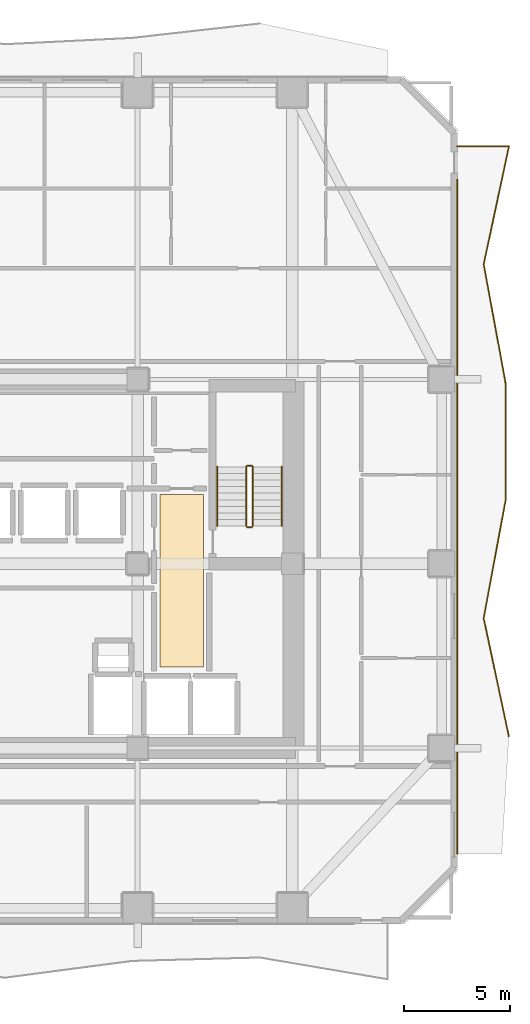
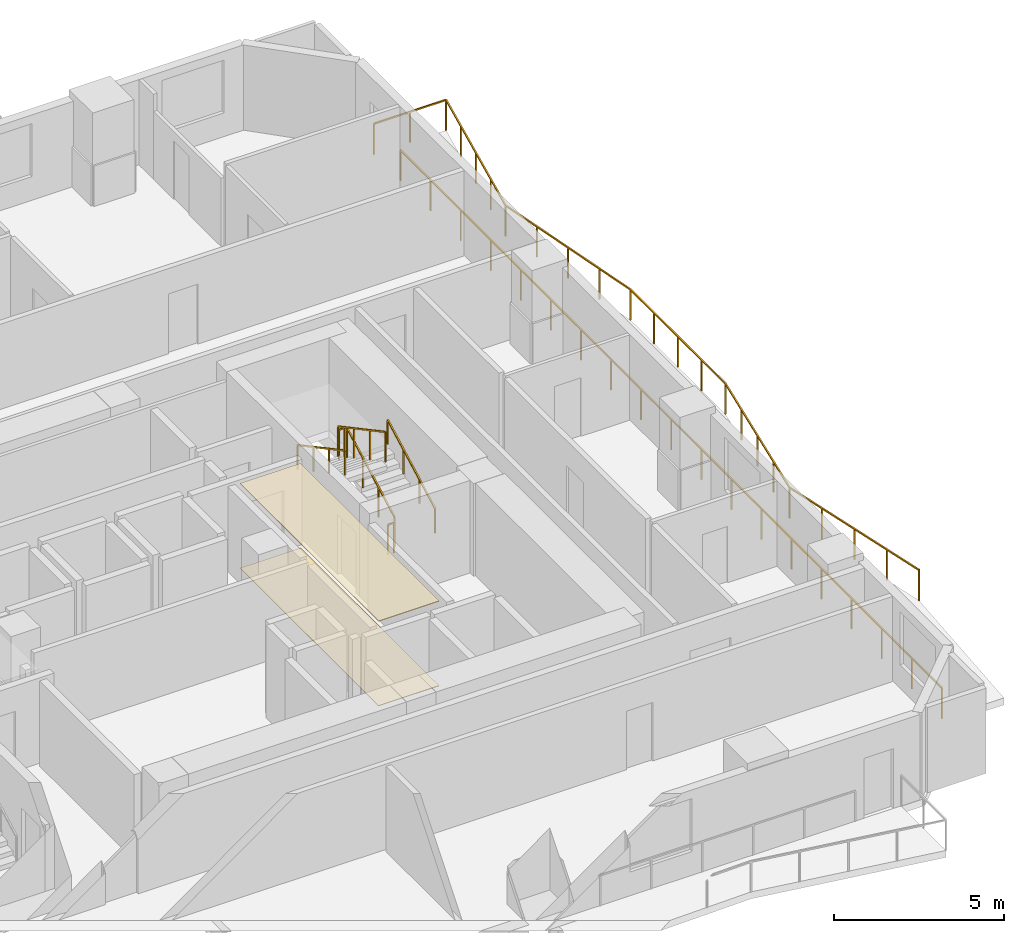
# One storey, part 9 of 10: 8 railings, 2 coverings.
"""IFC4 building model written with IfcOpenShell, lengths in metres."""

from ifc_helpers import new_model, si_unit, direction, frame, origin, origin_2d, place, context, subcontext, project, spatial, polyline, rectangle, outline, extrude, material, layer, layer_set, type_object, element, save


model = new_model("IFC4")

# Units and contexts
model_context = context("Model", 3, precision=1e-05, world=origin(), true_north=direction((0.0, 1.0)))
body_context = subcontext(model_context, "Body", "Model", "MODEL_VIEW")
ifc_project = project(units=[si_unit("LENGTHUNIT", "METRE"), si_unit("AREAUNIT", "SQUARE_METRE"), si_unit("VOLUMEUNIT", "CUBIC_METRE"), si_unit("PLANEANGLEUNIT", "RADIAN"), si_unit("MASSUNIT", "GRAM", prefix="KILO")], contexts=[model_context])

# Site, building, storey
site_placement = place(None, origin())
site = spatial("IfcSite", under=ifc_project, at=site_placement, CompositionType="ELEMENT")
building_placement = place(site_placement, origin())
building = spatial("IfcBuilding", under=site, at=building_placement, Name="Solanera Arch Residences", CompositionType="ELEMENT")
storey_placement = place(building_placement, frame((0.0, 0.0, 92.800048828125)))
storey = spatial("IfcBuildingStorey", under=building, at=storey_placement, Name="L26", CompositionType="ELEMENT", Elevation=92.800048828125)

# Railings
ifc_material_1 = material(Name="Steel S355 (ASTM A992 / A572 Grade 50)", Category="steel")
railing_type_1 = type_object("IfcRailingType", Name="Balustrade Railing BL-1100", PredefinedType="BALUSTRADE", material=ifc_material_1)
railing_1_placement = place(storey_placement, frame((46.721923828125, 22.56689453125, 0.0)))
element("IfcRailing", 1, at=railing_1_placement, inside=storey, type_object=railing_type_1, Name="L26 E Balcony Balustrade 1", PredefinedType="BALUSTRADE", context=body_context, shape_type="SweptSolid", body=[
    extrude(rectangle(XDim=0.048095703125, YDim=0.048095703125, at=origin_2d()), frame((0.0, 0.0, 1.09619140625), z_axis=(-0.208401032027, 0.978043460103, 0.0), x_axis=(-0.978043460103, -0.208401032027, 0.0)), (0.0, 0.0, 1.0), 5.691162109375),
    extrude(rectangle(XDim=0.048095703125, YDim=0.048095703125, at=origin_2d()), frame((-1.18603515625, 5.566162109375, 1.09619140625), z_axis=(0.182814875216, 0.983147354876, 0.0), x_axis=(-0.983147354876, 0.182814875216, 0.0)), (0.0, 0.0, 1.0), 5.662353515625),
    extrude(rectangle(XDim=0.048095703125, YDim=0.048095703125, at=origin_2d()), frame((-0.15087890625, 11.133056640625, 1.09619140625), z_axis=(-0.001622591382, 0.999998683598, 0.0), x_axis=(-0.999998683598, -0.001622591382, 0.0)), (0.0, 0.0, 1.0), 5.567138671875),
    extrude(rectangle(XDim=0.048095703125, YDim=0.048095703125, at=origin_2d()), frame((-0.159912109375, 16.7001953125, 1.09619140625), z_axis=(-0.181094355562, 0.983465726085, 0.0), x_axis=(-0.983465726085, -0.181094355562, 0.0)), (0.0, 0.0, 1.0), 5.659423828125),
    extrude(rectangle(XDim=0.048095703125, YDim=0.048095703125, at=origin_2d()), frame((-1.184814453125, 22.26611328125, 1.09619140625), z_axis=(0.209359223468, 0.977838798345, 0.0), x_axis=(-0.977838798345, 0.209359223468, 0.0)), (0.0, 0.0, 1.0), 5.693115234375),
    extrude(rectangle(XDim=0.048095703125, YDim=0.048095703125, at=origin_2d()), frame((0.007080078125, 27.8330078125, 1.09619140625), z_axis=(-1.0, 0.0, 0.0), x_axis=(0.0, -1.0, 0.0)), (0.0, 0.0, 1.0), 2.448974609375),
    extrude(rectangle(XDim=0.0419921875, YDim=0.0419921875, at=origin_2d()), origin(), (0.0, 0.0, 1.0), 1.072021484375),
    extrude(rectangle(XDim=0.0419921875, YDim=0.0419921875, at=origin_2d()), frame((-0.29638671875, 1.3916015625, 0.0)), (0.0, 0.0, 1.0), 1.072021484375),
    extrude(rectangle(XDim=0.0419921875, YDim=0.0419921875, at=origin_2d()), frame((-0.593017578125, 2.783203125, 0.0)), (0.0, 0.0, 1.0), 1.072021484375),
    extrude(rectangle(XDim=0.0419921875, YDim=0.0419921875, at=origin_2d()), frame((-0.8896484375, 4.174560546875, 0.0)), (0.0, 0.0, 1.0), 1.072021484375),
    extrude(rectangle(XDim=0.0419921875, YDim=0.0419921875, at=origin_2d()), frame((-1.18603515625, 5.566162109375, 0.0)), (0.0, 0.0, 1.0), 1.072021484375),
    extrude(rectangle(XDim=0.0419921875, YDim=0.0419921875, at=origin_2d()), frame((-0.92724609375, 6.9580078125, 0.0)), (0.0, 0.0, 1.0), 1.072021484375),
    extrude(rectangle(XDim=0.0419921875, YDim=0.0419921875, at=origin_2d()), frame((-0.66845703125, 8.349609375, 0.0)), (0.0, 0.0, 1.0), 1.072021484375),
    extrude(rectangle(XDim=0.0419921875, YDim=0.0419921875, at=origin_2d()), frame((-0.40966796875, 9.7412109375, 0.0)), (0.0, 0.0, 1.0), 1.072021484375),
    extrude(rectangle(XDim=0.0419921875, YDim=0.0419921875, at=origin_2d()), frame((-0.15087890625, 11.133056640625, 0.0)), (0.0, 0.0, 1.0), 1.072021484375),
    extrude(rectangle(XDim=0.0419921875, YDim=0.0419921875, at=origin_2d()), frame((-0.153076171875, 12.52490234375, 0.0)), (0.0, 0.0, 1.0), 1.072021484375),
    extrude(rectangle(XDim=0.0419921875, YDim=0.0419921875, at=origin_2d()), frame((-0.1552734375, 13.91650390625, 0.0)), (0.0, 0.0, 1.0), 1.072021484375),
    extrude(rectangle(XDim=0.0419921875, YDim=0.0419921875, at=origin_2d()), frame((-0.15771484375, 15.308349609375, 0.0)), (0.0, 0.0, 1.0), 1.072021484375),
    extrude(rectangle(XDim=0.0419921875, YDim=0.0419921875, at=origin_2d()), frame((-0.159912109375, 16.7001953125, 0.0)), (0.0, 0.0, 1.0), 1.072021484375),
    extrude(rectangle(XDim=0.0419921875, YDim=0.0419921875, at=origin_2d()), frame((-0.416015625, 18.091796875, 0.0)), (0.0, 0.0, 1.0), 1.072021484375),
    extrude(rectangle(XDim=0.0419921875, YDim=0.0419921875, at=origin_2d()), frame((-0.67236328125, 19.483154296875, 0.0)), (0.0, 0.0, 1.0), 1.072021484375),
    extrude(rectangle(XDim=0.0419921875, YDim=0.0419921875, at=origin_2d()), frame((-0.9287109375, 20.87451171875, 0.0)), (0.0, 0.0, 1.0), 1.072021484375),
    extrude(rectangle(XDim=0.0419921875, YDim=0.0419921875, at=origin_2d()), frame((-1.184814453125, 22.26611328125, 0.0)), (0.0, 0.0, 1.0), 1.072021484375),
    extrude(rectangle(XDim=0.0419921875, YDim=0.0419921875, at=origin_2d()), frame((-0.88671875, 23.65771484375, 0.0)), (0.0, 0.0, 1.0), 1.072021484375),
    extrude(rectangle(XDim=0.0419921875, YDim=0.0419921875, at=origin_2d()), frame((-0.5888671875, 25.049560546875, 0.0)), (0.0, 0.0, 1.0), 1.072021484375),
    extrude(rectangle(XDim=0.0419921875, YDim=0.0419921875, at=origin_2d()), frame((-0.291015625, 26.44140625, 0.0)), (0.0, 0.0, 1.0), 1.072021484375),
    extrude(rectangle(XDim=0.0419921875, YDim=0.0419921875, at=origin_2d()), frame((0.007080078125, 27.8330078125, 0.0)), (0.0, 0.0, 1.0), 1.072021484375),
    extrude(rectangle(XDim=0.0419921875, YDim=0.0419921875, at=origin_2d()), frame((-1.21728515625, 27.8330078125, 0.0)), (0.0, 0.0, 1.0), 1.072021484375),
    extrude(rectangle(XDim=0.0419921875, YDim=0.0419921875, at=origin_2d()), frame((-2.44189453125, 27.8330078125, 0.0)), (0.0, 0.0, 1.0), 1.072021484375),
])
railing_2_placement = place(storey_placement, frame((44.280029296875, 48.833984375, 0.0)))
element("IfcRailing", 2, at=railing_2_placement, inside=storey, type_object=railing_type_1, Name="L26 E Balcony Balustrade 2", PredefinedType="BALUSTRADE", context=body_context, shape_type="SweptSolid", body=[
    extrude(rectangle(XDim=0.048095703125, YDim=0.048095703125, at=origin_2d()), frame((0.0, 0.0, 1.09619140625), z_axis=(0.0, -1.0, 0.0), x_axis=(1.0, 0.0, 0.0)), (0.0, 0.0, 1.0), 31.833984375),
    extrude(rectangle(XDim=0.0419921875, YDim=0.0419921875, at=origin_2d()), origin(), (0.0, 0.0, 1.0), 1.072021484375),
    extrude(rectangle(XDim=0.0419921875, YDim=0.0419921875, at=origin_2d()), frame((0.0, -1.7685546875, 0.0)), (0.0, 0.0, 1.0), 1.072021484375),
    extrude(rectangle(XDim=0.0419921875, YDim=0.0419921875, at=origin_2d()), frame((0.0, -3.537109375, 0.0)), (0.0, 0.0, 1.0), 1.072021484375),
    extrude(rectangle(XDim=0.0419921875, YDim=0.0419921875, at=origin_2d()), frame((0.0, -5.3056640625, 0.0)), (0.0, 0.0, 1.0), 1.072021484375),
    extrude(rectangle(XDim=0.0419921875, YDim=0.0419921875, at=origin_2d()), frame((0.0, -7.07421875, 0.0)), (0.0, 0.0, 1.0), 1.072021484375),
    extrude(rectangle(XDim=0.0419921875, YDim=0.0419921875, at=origin_2d()), frame((0.0, -8.8427734375, 0.0)), (0.0, 0.0, 1.0), 1.072021484375),
    extrude(rectangle(XDim=0.0419921875, YDim=0.0419921875, at=origin_2d()), frame((0.0, -10.611328125, 0.0)), (0.0, 0.0, 1.0), 1.072021484375),
    extrude(rectangle(XDim=0.0419921875, YDim=0.0419921875, at=origin_2d()), frame((0.0, -12.3798828125, 0.0)), (0.0, 0.0, 1.0), 1.072021484375),
    extrude(rectangle(XDim=0.0419921875, YDim=0.0419921875, at=origin_2d()), frame((0.0, -14.1484375, 0.0)), (0.0, 0.0, 1.0), 1.072021484375),
    extrude(rectangle(XDim=0.0419921875, YDim=0.0419921875, at=origin_2d()), frame((0.0, -15.9169921875, 0.0)), (0.0, 0.0, 1.0), 1.072021484375),
    extrude(rectangle(XDim=0.0419921875, YDim=0.0419921875, at=origin_2d()), frame((0.0, -17.685546875, 0.0)), (0.0, 0.0, 1.0), 1.072021484375),
    extrude(rectangle(XDim=0.0419921875, YDim=0.0419921875, at=origin_2d()), frame((0.0, -19.4541015625, 0.0)), (0.0, 0.0, 1.0), 1.072021484375),
    extrude(rectangle(XDim=0.0419921875, YDim=0.0419921875, at=origin_2d()), frame((0.0, -21.22265625, 0.0)), (0.0, 0.0, 1.0), 1.072021484375),
    extrude(rectangle(XDim=0.0419921875, YDim=0.0419921875, at=origin_2d()), frame((0.0, -22.9912109375, 0.0)), (0.0, 0.0, 1.0), 1.072021484375),
    extrude(rectangle(XDim=0.0419921875, YDim=0.0419921875, at=origin_2d()), frame((0.0, -24.759765625, 0.0)), (0.0, 0.0, 1.0), 1.072021484375),
    extrude(rectangle(XDim=0.0419921875, YDim=0.0419921875, at=origin_2d()), frame((0.0, -26.5283203125, 0.0)), (0.0, 0.0, 1.0), 1.072021484375),
    extrude(rectangle(XDim=0.0419921875, YDim=0.0419921875, at=origin_2d()), frame((0.0, -28.296875, 0.0)), (0.0, 0.0, 1.0), 1.072021484375),
    extrude(rectangle(XDim=0.0419921875, YDim=0.0419921875, at=origin_2d()), frame((0.0, -30.0654296875, 0.0)), (0.0, 0.0, 1.0), 1.072021484375),
    extrude(rectangle(XDim=0.0419921875, YDim=0.0419921875, at=origin_2d()), frame((0.0, -31.833984375, 0.0)), (0.0, 0.0, 1.0), 1.072021484375),
])

# Covering
ifc_material_2 = material(Name="Porcelain Acoustic Floor Tile", Category="ceramic")
ifc_layer_1 = layer(ifc_material_2, 0.02001953125)
ifc_layer_set_1 = layer_set([ifc_layer_1], Name="Porcelain Acoustic Floor Tile")
covering_type_1 = type_object("IfcCoveringType", Name="Porcelain Acoustic Floor Finish FLR-20", PredefinedType="FLOORING", material=ifc_layer_set_1)
covering_1_placement = place(storey_placement, origin())
element("IfcCovering", 3, at=covering_1_placement, inside=storey, type_object=covering_type_1, Name="L26-FFL-E Porcelain Floor Finish", PredefinedType="FLOORING", context=body_context, shape_type="SweptSolid", body=[
    extrude(outline(polyline([(32.304931640625, 25.824951171875), (30.25, 25.824951171875), (30.25, 33.97509765625), (32.304931640625, 33.97509765625), (32.304931640625, 25.824951171875)])), origin(), (0.0, 0.0, 1.0), 0.02001953125),
])

# Railings
ifc_material_3 = material(Name="Steel S355 (ASTM A992 / A572 Grade 50)", Category="steel")
railing_type_2 = type_object("IfcRailingType", Name="Stair Guardrail GR-1100", PredefinedType="GUARDRAIL", material=ifc_material_3)
railing_3_placement = place(storey_placement, frame((34.6298828125, 32.47998046875, 0.15087890625)))
element("IfcRailing", 4, at=railing_3_placement, inside=storey, type_object=railing_type_2, Name="L26 ST-T2 stair guard 1", PredefinedType="GUARDRAIL", context=body_context, shape_type="SweptSolid", body=[
    extrude(rectangle(XDim=0.048095703125, YDim=0.048095703125, at=origin_2d()), frame((0.0, 0.0, 1.076171875), z_axis=(0.0, 0.881548766853, 0.472092969298), x_axis=(-1.0, 0.0, 0.0)), (0.0, 0.0, 1.0), 3.1650390625),
    extrude(rectangle(XDim=0.0419921875, YDim=0.0419921875, at=origin_2d()), origin(), (0.0, 0.0, 1.0), 1.052001953125),
    extrude(rectangle(XDim=0.0419921875, YDim=0.0419921875, at=origin_2d()), frame((0.0, 0.929931640625, 0.498046875)), (0.0, 0.0, 1.0), 1.052001953125),
    extrude(rectangle(XDim=0.0419921875, YDim=0.0419921875, at=origin_2d()), frame((0.0, 1.860107421875, 0.99609375)), (0.0, 0.0, 1.0), 1.052001953125),
    extrude(rectangle(XDim=0.0419921875, YDim=0.0419921875, at=origin_2d()), frame((0.0, 2.7900390625, 1.494140625)), (0.0, 0.0, 1.0), 1.052001953125),
])
railing_4_placement = place(storey_placement, frame((34.580078125, 35.320068359375, 1.64501953125)))
element("IfcRailing", 5, at=railing_4_placement, inside=storey, type_object=railing_type_2, Name="L26 ST-T2 stair guard 2", PredefinedType="GUARDRAIL", context=body_context, shape_type="SweptSolid", body=[
    extrude(rectangle(XDim=0.048095703125, YDim=0.048095703125, at=origin_2d()), frame((0.0, 0.0, 1.076171875), z_axis=(-1.0, 0.0, 0.0), x_axis=(0.0, -1.0, 0.0)), (0.0, 0.0, 1.0), 0.2001953125),
    extrude(rectangle(XDim=0.0419921875, YDim=0.0419921875, at=origin_2d()), origin(), (0.0, 0.0, 1.0), 1.052001953125),
    extrude(rectangle(XDim=0.0419921875, YDim=0.0419921875, at=origin_2d()), frame((-0.2001953125, 0.0, 0.0)), (0.0, 0.0, 1.0), 1.052001953125),
])
railing_5_placement = place(storey_placement, frame((34.330078125, 35.27001953125, 1.81103515625)))
element("IfcRailing", 6, at=railing_5_placement, inside=storey, type_object=railing_type_2, Name="L26 ST-T2 stair guard 3", PredefinedType="GUARDRAIL", context=body_context, shape_type="SweptSolid", body=[
    extrude(rectangle(XDim=0.048095703125, YDim=0.048095703125, at=origin_2d()), frame((0.0, 0.0, 1.076171875), z_axis=(0.0, -0.881580869306, 0.472033018838), x_axis=(1.0, 0.0, 0.0)), (0.0, 0.0, 1.0), 3.164794921875),
    extrude(rectangle(XDim=0.0419921875, YDim=0.0419921875, at=origin_2d()), origin(), (0.0, 0.0, 1.0), 1.052001953125),
    extrude(rectangle(XDim=0.0419921875, YDim=0.0419921875, at=origin_2d()), frame((0.0, -0.929931640625, 0.498046875)), (0.0, 0.0, 1.0), 1.052001953125),
    extrude(rectangle(XDim=0.0419921875, YDim=0.0419921875, at=origin_2d()), frame((0.0, -1.860107421875, 0.995849609375)), (0.0, 0.0, 1.0), 1.052001953125),
    extrude(rectangle(XDim=0.0419921875, YDim=0.0419921875, at=origin_2d()), frame((0.0, -2.7900390625, 1.493896484375)), (0.0, 0.0, 1.0), 1.052001953125),
])
railing_6_placement = place(storey_placement, frame((34.580078125, 32.429931640625, -0.01513671875)))
element("IfcRailing", 7, at=railing_6_placement, inside=storey, type_object=railing_type_2, Name="L26 ST-T2 stair guard 4", PredefinedType="GUARDRAIL", context=body_context, shape_type="SweptSolid", body=[
    extrude(rectangle(XDim=0.048095703125, YDim=0.048095703125, at=origin_2d()), frame((0.0, 0.0, 1.076171875), z_axis=(-1.0, 0.0, 0.0), x_axis=(0.0, -1.0, 0.0)), (0.0, 0.0, 1.0), 0.2001953125),
    extrude(rectangle(XDim=0.0419921875, YDim=0.0419921875, at=origin_2d()), origin(), (0.0, 0.0, 1.0), 1.052001953125),
    extrude(rectangle(XDim=0.0419921875, YDim=0.0419921875, at=origin_2d()), frame((-0.2001953125, 0.0, 0.0)), (0.0, 0.0, 1.0), 1.052001953125),
])
ifc_material_4 = material(Name="Steel S355 (ASTM A992 / A572 Grade 50)", Category="steel")
railing_type_3 = type_object("IfcRailingType", Name="Stair Wall Handrail HR-920", PredefinedType="HANDRAIL", material=ifc_material_4)
railing_7_placement = place(storey_placement, frame((36.010009765625, 32.47998046875, 0.166015625)))
element("IfcRailing", 8, at=railing_7_placement, inside=storey, type_object=railing_type_3, Name="L26 ST-T2 stair handrail 1", PredefinedType="HANDRAIL", context=body_context, shape_type="SweptSolid", body=[
    extrude(rectangle(XDim=0.048095703125, YDim=0.048095703125, at=origin_2d()), frame((0.0, 0.0, 0.8759765625), z_axis=(0.0, 0.881580869306, 0.472033018838), x_axis=(-1.0, 0.0, 0.0)), (0.0, 0.0, 1.0), 3.164794921875),
    extrude(rectangle(XDim=0.0419921875, YDim=0.0419921875, at=origin_2d()), origin(), (0.0, 0.0, 1.0), 0.851806640625),
    extrude(rectangle(XDim=0.0419921875, YDim=0.0419921875, at=origin_2d()), frame((0.0, 0.929931640625, 0.498046875)), (0.0, 0.0, 1.0), 0.851806640625),
    extrude(rectangle(XDim=0.0419921875, YDim=0.0419921875, at=origin_2d()), frame((0.0, 1.860107421875, 0.995849609375)), (0.0, 0.0, 1.0), 0.851806640625),
    extrude(rectangle(XDim=0.0419921875, YDim=0.0419921875, at=origin_2d()), frame((0.0, 2.7900390625, 1.493896484375)), (0.0, 0.0, 1.0), 0.851806640625),
])
railing_8_placement = place(storey_placement, frame((32.949951171875, 35.27001953125, 1.825927734375)))
element("IfcRailing", 9, at=railing_8_placement, inside=storey, type_object=railing_type_3, Name="L26 ST-T2 stair handrail 2", PredefinedType="HANDRAIL", context=body_context, shape_type="SweptSolid", body=[
    extrude(rectangle(XDim=0.048095703125, YDim=0.048095703125, at=origin_2d()), frame((0.0, 0.0, 0.8759765625), z_axis=(0.0, -0.881548766853, 0.472092969298), x_axis=(1.0, 0.0, 0.0)), (0.0, 0.0, 1.0), 3.1650390625),
    extrude(rectangle(XDim=0.0419921875, YDim=0.0419921875, at=origin_2d()), origin(), (0.0, 0.0, 1.0), 0.851806640625),
    extrude(rectangle(XDim=0.0419921875, YDim=0.0419921875, at=origin_2d()), frame((0.0, -0.929931640625, 0.498046875)), (0.0, 0.0, 1.0), 0.851806640625),
    extrude(rectangle(XDim=0.0419921875, YDim=0.0419921875, at=origin_2d()), frame((0.0, -1.860107421875, 0.99609375)), (0.0, 0.0, 1.0), 0.851806640625),
    extrude(rectangle(XDim=0.0419921875, YDim=0.0419921875, at=origin_2d()), frame((0.0, -2.7900390625, 1.494140625)), (0.0, 0.0, 1.0), 0.851806640625),
])

# Covering
ifc_material_5 = material(Name="Mineral Fibre Acoustic Ceiling Board", Category="gypsum")
ifc_layer_2 = layer(ifc_material_5, 0.02490234375)
ifc_layer_set_2 = layer_set([ifc_layer_2], Name="Mineral Fibre Acoustic Ceiling Board")
covering_type_2 = type_object("IfcCoveringType", Name="Suspended Acoustic Ceiling Board CLG-25", PredefinedType="CEILING", material=ifc_layer_set_2)
covering_2_placement = place(storey_placement, frame((0.0, 0.0, 3.034912109375)))
element("IfcCovering", 10, at=covering_2_placement, inside=storey, type_object=covering_type_2, Name="L26-FFL-E Acoustic Ceiling", PredefinedType="CEILING", context=body_context, shape_type="SweptSolid", body=[
    extrude(outline(polyline([(32.304931640625, 25.824951171875), (30.25, 25.824951171875), (30.25, 33.97509765625), (32.304931640625, 33.97509765625), (32.304931640625, 25.824951171875)])), origin(), (0.0, 0.0, 1.0), 0.025146484375),
])

save(model, "model.ifc")
